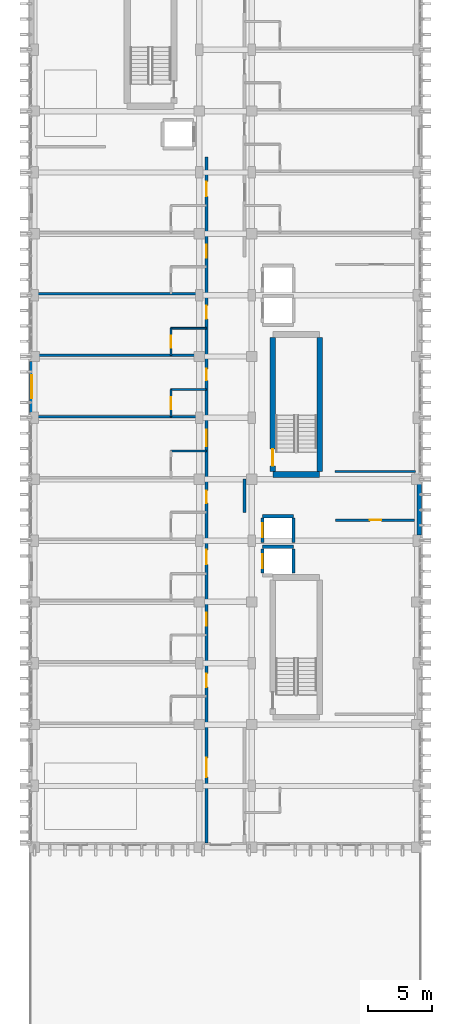
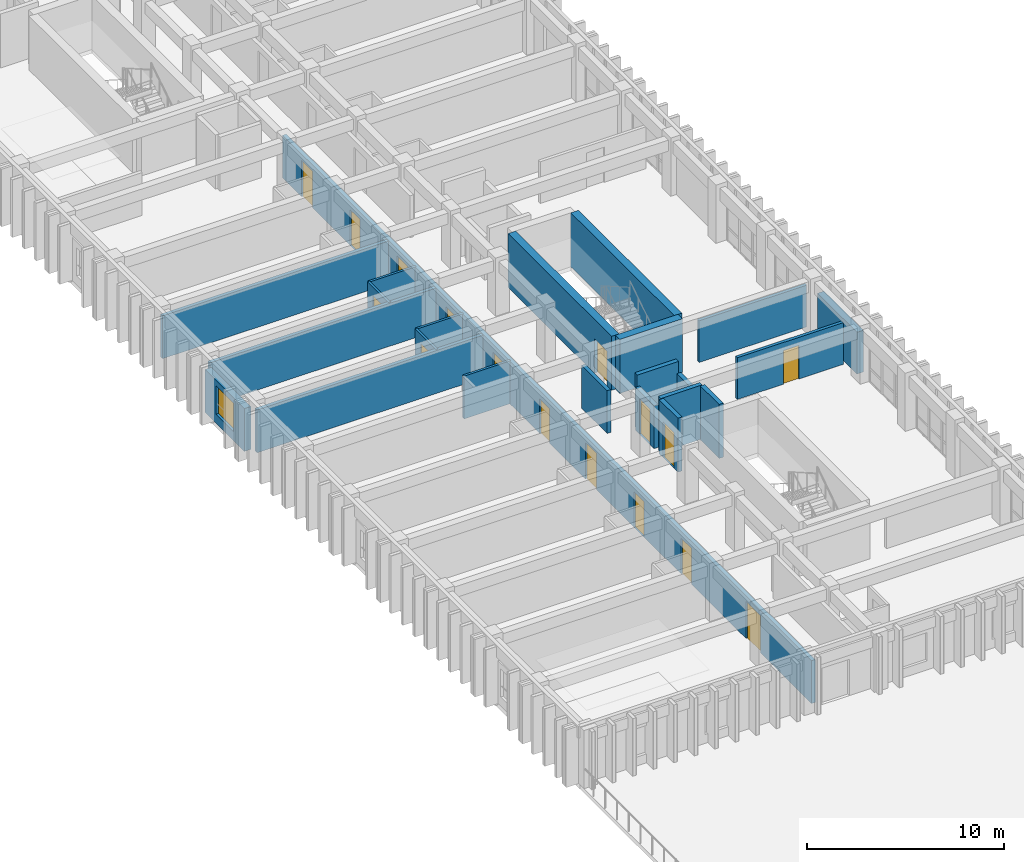
# One storey, part 64 of 82: 23 walls, 16 doors, 1 window, 17 openings.
"""IFC4 building model written with IfcOpenShell, lengths in metres."""

from ifc_helpers import new_model, si_unit, direction, frame, frame_2d, origin, place, context, subcontext, project, spatial, rectangle, extrude, material, layer, layer_set, type_object, element, fill, save


model = new_model("IFC4")

# Units and contexts
model_context = context("Model", 3, precision=1e-05, world=origin(), true_north=direction((0.0, 1.0)))
body_context = subcontext(model_context, "Body", "Model", "MODEL_VIEW")
ifc_project = project(units=[si_unit("LENGTHUNIT", "METRE"), si_unit("AREAUNIT", "SQUARE_METRE"), si_unit("VOLUMEUNIT", "CUBIC_METRE"), si_unit("PLANEANGLEUNIT", "RADIAN"), si_unit("MASSUNIT", "GRAM", prefix="KILO")], contexts=[model_context])

# Site, building, storey
site_placement = place(None, origin())
site = spatial("IfcSite", under=ifc_project, at=site_placement, CompositionType="ELEMENT")
building_placement = place(site_placement, origin())
building = spatial("IfcBuilding", under=site, at=building_placement, Name="Nakhvara Creek Congress Hotel", CompositionType="ELEMENT")
storey_placement = place(building_placement, frame((0.0, 0.0, 21.0)))
storey = spatial("IfcBuildingStorey", under=building, at=storey_placement, Name="L04", CompositionType="ELEMENT", Elevation=21.0)

# Wall
ifc_material_1 = material(Name="Concrete C50/60", Category="concrete")
ifc_layer_1 = layer(ifc_material_1, 0.449951171875)
ifc_layer_set_1 = layer_set([ifc_layer_1], Name="Concrete C50/60")
wall_type_1 = type_object("IfcWallType", Name="W-CORE-450", PredefinedType="SHEAR", material=ifc_layer_set_1)
wall_1_placement = place(storey_placement, frame((168.10009765625, 48.3798828125, 0.0), z_axis=(0.0, 0.0, 1.0), x_axis=(1.0, 0.0, 0.0)))
element("IfcWall", 1, at=wall_1_placement, inside=storey, type_object=wall_type_1, Name="Core Shear Wall WS02-CWALL-L04-0687", PredefinedType="SHEAR", context=body_context, shape_type="SweptSolid", body=[
    extrude(rectangle(XDim=3.669921875, YDim=0.449951171875, at=frame_2d((1.8349609375, 0.0))), origin(), (0.0, 0.0, 1.0), 3.340087890625),
])

# Wall, opening, door
wall_2_placement = place(storey_placement, frame((168.10009765625, 48.60009765625, 0.0), z_axis=(0.0, 0.0, 1.0), x_axis=(0.0, 1.0, 0.0)))
wall_2 = element("IfcWall", 2, at=wall_2_placement, inside=storey, type_object=wall_type_1, Name="Core Shear Wall WS02-CWALL-L04-0689", PredefinedType="SHEAR", context=body_context, shape_type="SweptSolid", body=[
    extrude(rectangle(XDim=10.5, YDim=0.449951171875, at=frame_2d((5.25, 0.0))), origin(), (0.0, 0.0, 1.0), 3.340087890625),
])
opening_1_placement = place(wall_2_placement, frame((0.449951171875, 0.0, 0.0)))
opening_1 = element("IfcOpeningElement", 3, at=opening_1_placement, cuts=wall_2, Name="Opening FD04", PredefinedType="OPENING", context=body_context, shape_type="SweptSolid", body=[
    extrude(rectangle(XDim=1.300048828125, YDim=2.14990234375, at=frame_2d((0.64990234375, 1.074951171875))), frame((0.0, 0.23681640625, 0.0), z_axis=(0.0, -1.0, 0.0), x_axis=(1.0, 0.0, 0.0)), (0.0, 0.0, 1.0), 0.473876953125),
])
ifc_material_2 = material(Name="Powder-coated steel fire door", Category="steel")
door_type_1 = type_object("IfcDoorType", Name="DT-STAIR-130", OperationType="NOTDEFINED", PredefinedType="DOOR", material=ifc_material_2)
door_1_placement = place(opening_1_placement, origin())
door_1 = element("IfcDoor", 4, at=door_1_placement, inside=storey, type_object=door_type_1, Name="Stair Exit Door ST04-L04", OperationType="SINGLE_SWING_LEFT", OverallHeight=2.14990234375, OverallWidth=1.300048828125, PredefinedType="DOOR", context=body_context, shape_type="SweptSolid", body=[
    extrude(rectangle(XDim=1.300048828125, YDim=2.14990234375, at=frame_2d((0.64990234375, 1.074951171875))), frame((0.0, 0.02490234375, 0.0), z_axis=(0.0, -1.0, 0.0), x_axis=(1.0, 0.0, 0.0)), (0.0, 0.0, 1.0), 0.050048828125),
])
fill(opening_1, door_1)

# Wall
wall_3_placement = place(storey_placement, frame((171.77001953125, 48.60009765625, 0.0), z_axis=(0.0, 0.0, 1.0), x_axis=(0.0, 1.0, 0.0)))
element("IfcWall", 5, at=wall_3_placement, inside=storey, type_object=wall_type_1, Name="Core Shear Wall WS02-CWALL-L04-0690", PredefinedType="SHEAR", context=body_context, shape_type="SweptSolid", body=[
    extrude(rectangle(XDim=10.5, YDim=0.449951171875, at=frame_2d((5.25, 0.0))), origin(), (0.0, 0.0, 1.0), 3.340087890625),
])

# Wall, openings, doors
ifc_material_3 = material(Name="Gypsum acoustic board on steel stud", Category="steel")
ifc_layer_2 = layer(ifc_material_3, 0.219970703125)
ifc_layer_set_2 = layer_set([ifc_layer_2], Name="Gypsum acoustic board on steel stud")
wall_type_2 = type_object("IfcWallType", Name="W-CORR-220", PredefinedType="PARTITIONING", material=ifc_layer_set_2)
wall_4_placement = place(storey_placement, frame((162.919921875, 19.550048828125, 0.0), z_axis=(0.0, 0.0, 1.0), x_axis=(0.0, 1.0, 0.0)))
wall_4 = element("IfcWall", 6, at=wall_4_placement, inside=storey, type_object=wall_type_2, Name="Interior Wall WP11-IW-L04-0285", PredefinedType="PARTITIONING", context=body_context, shape_type="SweptSolid", body=[
    extrude(rectangle(XDim=53.64990234375, YDim=0.219970703125, at=frame_2d((26.824951171875, 0.0))), origin(), (0.0, 0.0, 1.0), 2.652099609375),
])
opening_2_placement = place(wall_4_placement, frame((5.14990234375, 0.0, 0.0)))
opening_2 = element("IfcOpeningElement", 7, at=opening_2_placement, cuts=wall_4, Name="Opening GD03", PredefinedType="OPENING", context=body_context, shape_type="SweptSolid", body=[
    extrude(rectangle(XDim=1.5, YDim=2.300048828125, at=frame_2d((0.75, 1.14990234375))), frame((0.0, 0.1220703125, 0.0), z_axis=(0.0, -1.0, 0.0), x_axis=(1.0, 0.0, 0.0)), (0.0, 0.0, 1.0), 0.243896484375),
])
opening_3_placement = place(wall_4_placement, frame((12.18798828125, 0.0, 0.0)))
opening_3 = element("IfcOpeningElement", 8, at=opening_3_placement, cuts=wall_4, Name="Opening GD04", PredefinedType="OPENING", context=body_context, shape_type="SweptSolid", body=[
    extrude(rectangle(XDim=1.050048828125, YDim=2.219970703125, at=frame_2d((0.52490234375, 1.10986328125))), frame((0.0, 0.1220703125, 0.0), z_axis=(0.0, -1.0, 0.0), x_axis=(1.0, 0.0, 0.0)), (0.0, 0.0, 1.0), 0.243896484375),
])
opening_4_placement = place(wall_4_placement, frame((16.988037109375, 0.0, 0.0)))
opening_4 = element("IfcOpeningElement", 9, at=opening_4_placement, cuts=wall_4, Name="Opening GD01", PredefinedType="OPENING", context=body_context, shape_type="SweptSolid", body=[
    extrude(rectangle(XDim=1.02001953125, YDim=2.199951171875, at=frame_2d((0.510009765625, 1.10009765625))), frame((0.0, 0.1220703125, 0.0), z_axis=(0.0, -1.0, 0.0), x_axis=(1.0, 0.0, 0.0)), (0.0, 0.0, 1.0), 0.243896484375),
])
opening_5_placement = place(wall_4_placement, frame((21.7880859375, 0.0, 0.0)))
opening_5 = element("IfcOpeningElement", 10, at=opening_5_placement, cuts=wall_4, Name="Opening GD05", PredefinedType="OPENING", context=body_context, shape_type="SweptSolid", body=[
    extrude(rectangle(XDim=1.139892578125, YDim=2.260009765625, at=frame_2d((0.56982421875, 1.1298828125))), frame((0.0, 0.1220703125, 0.0), z_axis=(0.0, -1.0, 0.0), x_axis=(1.0, 0.0, 0.0)), (0.0, 0.0, 1.0), 0.243896484375),
])
opening_6_placement = place(wall_4_placement, frame((26.587890625, 0.0, 0.0)))
opening_6 = element("IfcOpeningElement", 11, at=opening_6_placement, cuts=wall_4, Name="Opening MD03", PredefinedType="OPENING", context=body_context, shape_type="SweptSolid", body=[
    extrude(rectangle(XDim=0.97998046875, YDim=2.14990234375, at=frame_2d((0.489990234375, 1.074951171875))), frame((0.0, 0.1220703125, 0.0), z_axis=(0.0, -1.0, 0.0), x_axis=(1.0, 0.0, 0.0)), (0.0, 0.0, 1.0), 0.243896484375),
])
opening_7_placement = place(wall_4_placement, frame((31.0380859375, 0.0, 0.0)))
opening_7 = element("IfcOpeningElement", 12, at=opening_7_placement, cuts=wall_4, Name="Opening ID07", PredefinedType="OPENING", context=body_context, shape_type="SweptSolid", body=[
    extrude(rectangle(XDim=1.280029296875, YDim=2.159912109375, at=frame_2d((0.64013671875, 1.080078125))), frame((0.0, 0.1220703125, 0.0), z_axis=(0.0, -1.0, 0.0), x_axis=(1.0, 0.0, 0.0)), (0.0, 0.0, 1.0), 0.243896484375),
])
opening_8_placement = place(wall_4_placement, frame((36.18798828125, 0.0, 0.0)))
opening_8 = element("IfcOpeningElement", 13, at=opening_8_placement, cuts=wall_4, Name="Opening ID03", PredefinedType="OPENING", context=body_context, shape_type="SweptSolid", body=[
    extrude(rectangle(XDim=0.89990234375, YDim=2.080078125, at=frame_2d((0.449951171875, 1.0400390625))), frame((0.0, 0.1220703125, 0.0), z_axis=(0.0, -1.0, 0.0), x_axis=(1.0, 0.0, 0.0)), (0.0, 0.0, 1.0), 0.243896484375),
])
opening_9_placement = place(wall_4_placement, frame((40.988037109375, 0.0, 0.0)))
opening_9 = element("IfcOpeningElement", 14, at=opening_9_placement, cuts=wall_4, Name="Opening GD04", PredefinedType="OPENING", context=body_context, shape_type="SweptSolid", body=[
    extrude(rectangle(XDim=1.050048828125, YDim=2.219970703125, at=frame_2d((0.52490234375, 1.10986328125))), frame((0.0, 0.1220703125, 0.0), z_axis=(0.0, -1.0, 0.0), x_axis=(1.0, 0.0, 0.0)), (0.0, 0.0, 1.0), 0.243896484375),
])
opening_10_placement = place(wall_4_placement, frame((45.7880859375, 0.0, 0.0)))
opening_10 = element("IfcOpeningElement", 15, at=opening_10_placement, cuts=wall_4, Name="Opening GD01", PredefinedType="OPENING", context=body_context, shape_type="SweptSolid", body=[
    extrude(rectangle(XDim=1.02001953125, YDim=2.199951171875, at=frame_2d((0.510009765625, 1.10009765625))), frame((0.0, 0.1220703125, 0.0), z_axis=(0.0, -1.0, 0.0), x_axis=(1.0, 0.0, 0.0)), (0.0, 0.0, 1.0), 0.243896484375),
])
opening_11_placement = place(wall_4_placement, frame((50.587890625, 0.0, 0.0)))
opening_11 = element("IfcOpeningElement", 16, at=opening_11_placement, cuts=wall_4, Name="Opening GD05", PredefinedType="OPENING", context=body_context, shape_type="SweptSolid", body=[
    extrude(rectangle(XDim=1.139892578125, YDim=2.260009765625, at=frame_2d((0.56982421875, 1.1298828125))), frame((0.0, 0.1220703125, 0.0), z_axis=(0.0, -1.0, 0.0), x_axis=(1.0, 0.0, 0.0)), (0.0, 0.0, 1.0), 0.243896484375),
])
ifc_material_4 = material(Name="Brushed stainless-clad BOH door")
door_type_2 = type_object("IfcDoorType", Name="DT-BOH-128", OperationType="NOTDEFINED", PredefinedType="DOOR", material=ifc_material_4)
door_2_placement = place(opening_7_placement, frame((1.280029296875, 0.0, 0.0), z_axis=(0.0, 0.0, 1.0), x_axis=(-1.0, 0.0, 0.0)))
door_2 = element("IfcDoor", 17, at=door_2_placement, inside=storey, type_object=door_type_2, Name="Interior Door ID07-0266", OperationType="SINGLE_SWING_LEFT", OverallHeight=2.159912109375, OverallWidth=1.280029296875, PredefinedType="DOOR", context=body_context, shape_type="SweptSolid", body=[
    extrude(rectangle(XDim=1.280029296875, YDim=2.159912109375, at=frame_2d((0.64013671875, 1.080078125))), frame((0.0, 0.02490234375, 0.0), z_axis=(0.0, -1.0, 0.0), x_axis=(1.0, 0.0, 0.0)), (0.0, 0.0, 1.0), 0.050048828125),
])
fill(opening_7, door_2)
ifc_material_5 = material(Name="Walnut hardwood timber fire door", Category="wood")
door_type_3 = type_object("IfcDoorType", Name="DT-GUEST-102", OperationType="NOTDEFINED", PredefinedType="DOOR", material=ifc_material_5)
door_3_placement = place(opening_4_placement, frame((1.02001953125, 0.0, 0.0), z_axis=(0.0, 0.0, 1.0), x_axis=(-1.0, 0.0, 0.0)))
door_3 = element("IfcDoor", 18, at=door_3_placement, inside=storey, type_object=door_type_3, Name="Interior Door GD01-0260", OperationType="SINGLE_SWING_LEFT", OverallHeight=2.199951171875, OverallWidth=1.02001953125, PredefinedType="DOOR", context=body_context, shape_type="SweptSolid", body=[
    extrude(rectangle(XDim=1.02001953125, YDim=2.199951171875, at=frame_2d((0.510009765625, 1.10009765625))), frame((0.0, 0.02490234375, 0.0), z_axis=(0.0, -1.0, 0.0), x_axis=(1.0, 0.0, 0.0)), (0.0, 0.0, 1.0), 0.050048828125),
])
fill(opening_4, door_3)
door_4_placement = place(opening_10_placement, frame((1.02001953125, 0.0, 0.0), z_axis=(0.0, 0.0, 1.0), x_axis=(-1.0, 0.0, 0.0)))
door_4 = element("IfcDoor", 19, at=door_4_placement, inside=storey, type_object=door_type_3, Name="Interior Door GD01-0272", OperationType="SINGLE_SWING_LEFT", OverallHeight=2.199951171875, OverallWidth=1.02001953125, PredefinedType="DOOR", context=body_context, shape_type="SweptSolid", body=[
    extrude(rectangle(XDim=1.02001953125, YDim=2.199951171875, at=frame_2d((0.510009765625, 1.10009765625))), frame((0.0, 0.02490234375, 0.0), z_axis=(0.0, -1.0, 0.0), x_axis=(1.0, 0.0, 0.0)), (0.0, 0.0, 1.0), 0.050048828125),
])
fill(opening_10, door_4)
door_type_4 = type_object("IfcDoorType", Name="DT-GUEST-105", OperationType="NOTDEFINED", PredefinedType="DOOR", material=ifc_material_5)
door_5_placement = place(opening_3_placement, frame((1.050048828125, 0.0, 0.0), z_axis=(0.0, 0.0, 1.0), x_axis=(-1.0, 0.0, 0.0)))
door_5 = element("IfcDoor", 20, at=door_5_placement, inside=storey, type_object=door_type_4, Name="Interior Door GD04-0258", OperationType="SINGLE_SWING_LEFT", OverallHeight=2.219970703125, OverallWidth=1.050048828125, PredefinedType="DOOR", context=body_context, shape_type="SweptSolid", body=[
    extrude(rectangle(XDim=1.050048828125, YDim=2.219970703125, at=frame_2d((0.52490234375, 1.10986328125))), frame((0.0, 0.02490234375, 0.0), z_axis=(0.0, -1.0, 0.0), x_axis=(1.0, 0.0, 0.0)), (0.0, 0.0, 1.0), 0.050048828125),
])
fill(opening_3, door_5)
door_6_placement = place(opening_9_placement, frame((1.050048828125, 0.0, 0.0), z_axis=(0.0, 0.0, 1.0), x_axis=(-1.0, 0.0, 0.0)))
door_6 = element("IfcDoor", 21, at=door_6_placement, inside=storey, type_object=door_type_4, Name="Interior Door GD04-0270", OperationType="SINGLE_SWING_LEFT", OverallHeight=2.219970703125, OverallWidth=1.050048828125, PredefinedType="DOOR", context=body_context, shape_type="SweptSolid", body=[
    extrude(rectangle(XDim=1.050048828125, YDim=2.219970703125, at=frame_2d((0.52490234375, 1.10986328125))), frame((0.0, 0.02490234375, 0.0), z_axis=(0.0, -1.0, 0.0), x_axis=(1.0, 0.0, 0.0)), (0.0, 0.0, 1.0), 0.050048828125),
])
fill(opening_9, door_6)
door_type_5 = type_object("IfcDoorType", Name="DT-GUEST-114", OperationType="NOTDEFINED", PredefinedType="DOOR", material=ifc_material_5)
door_7_placement = place(opening_5_placement, frame((1.139892578125, 0.0, 0.0), z_axis=(0.0, 0.0, 1.0), x_axis=(-1.0, 0.0, 0.0)))
door_7 = element("IfcDoor", 22, at=door_7_placement, inside=storey, type_object=door_type_5, Name="Interior Door GD05-0262", OperationType="SINGLE_SWING_LEFT", OverallHeight=2.260009765625, OverallWidth=1.139892578125, PredefinedType="DOOR", context=body_context, shape_type="SweptSolid", body=[
    extrude(rectangle(XDim=1.139892578125, YDim=2.260009765625, at=frame_2d((0.56982421875, 1.1298828125))), frame((0.0, 0.02490234375, 0.0), z_axis=(0.0, -1.0, 0.0), x_axis=(1.0, 0.0, 0.0)), (0.0, 0.0, 1.0), 0.050048828125),
])
fill(opening_5, door_7)
door_8_placement = place(opening_11_placement, frame((1.139892578125, 0.0, 0.0), z_axis=(0.0, 0.0, 1.0), x_axis=(-1.0, 0.0, 0.0)))
door_8 = element("IfcDoor", 23, at=door_8_placement, inside=storey, type_object=door_type_5, Name="Interior Door GD05-0274", OperationType="SINGLE_SWING_LEFT", OverallHeight=2.260009765625, OverallWidth=1.139892578125, PredefinedType="DOOR", context=body_context, shape_type="SweptSolid", body=[
    extrude(rectangle(XDim=1.139892578125, YDim=2.260009765625, at=frame_2d((0.56982421875, 1.1298828125))), frame((0.0, 0.02490234375, 0.0), z_axis=(0.0, -1.0, 0.0), x_axis=(1.0, 0.0, 0.0)), (0.0, 0.0, 1.0), 0.050048828125),
])
fill(opening_11, door_8)
ifc_material_6 = material(Name="Acoustic ISO 2603 sound-lock timber door", Category="wood")
door_type_6 = type_object("IfcDoorType", Name="DT-ISO-098", OperationType="NOTDEFINED", PredefinedType="DOOR", material=ifc_material_6)
door_9_placement = place(opening_6_placement, frame((0.97998046875, 0.0, 0.0), z_axis=(0.0, 0.0, 1.0), x_axis=(-1.0, 0.0, 0.0)))
door_9 = element("IfcDoor", 24, at=door_9_placement, inside=storey, type_object=door_type_6, Name="Interior Door MD03-0264", OperationType="SINGLE_SWING_LEFT", OverallHeight=2.14990234375, OverallWidth=0.97998046875, PredefinedType="DOOR", context=body_context, shape_type="SweptSolid", body=[
    extrude(rectangle(XDim=0.97998046875, YDim=2.14990234375, at=frame_2d((0.489990234375, 1.074951171875))), frame((0.0, 0.02490234375, 0.0), z_axis=(0.0, -1.0, 0.0), x_axis=(1.0, 0.0, 0.0)), (0.0, 0.0, 1.0), 0.050048828125),
])
fill(opening_6, door_9)
ifc_material_7 = material(Name="Walnut hardwood double fire door", Category="wood")
door_type_7 = type_object("IfcDoorType", Name="DT-SUITE-150", OperationType="DOUBLE_DOOR_SINGLE_SWING", PredefinedType="DOOR", material=ifc_material_7)
door_10_placement = place(opening_2_placement, frame((1.5, 0.0, 0.0), z_axis=(0.0, 0.0, 1.0), x_axis=(-1.0, 0.0, 0.0)))
door_10 = element("IfcDoor", 25, at=door_10_placement, inside=storey, type_object=door_type_7, Name="Interior Door GD03-0252", OperationType="DOUBLE_DOOR_SINGLE_SWING", OverallHeight=2.300048828125, OverallWidth=1.5, PredefinedType="DOOR", context=body_context, shape_type="SweptSolid", body=[
    extrude(rectangle(XDim=1.5, YDim=2.300048828125, at=frame_2d((0.75, 1.14990234375))), frame((0.0, 0.02490234375, 0.0), z_axis=(0.0, -1.0, 0.0), x_axis=(1.0, 0.0, 0.0)), (0.0, 0.0, 1.0), 0.050048828125),
])
fill(opening_2, door_10)
ifc_material_8 = material(Name="Moisture-resistant laminate timber door", Category="wood")
door_type_8 = type_object("IfcDoorType", Name="DT-WC-090", OperationType="NOTDEFINED", PredefinedType="DOOR", material=ifc_material_8)
door_11_placement = place(opening_8_placement, frame((0.89990234375, 0.0, 0.0), z_axis=(0.0, 0.0, 1.0), x_axis=(-1.0, 0.0, 0.0)))
door_11 = element("IfcDoor", 26, at=door_11_placement, inside=storey, type_object=door_type_8, Name="Interior Door ID03-0268", OperationType="SINGLE_SWING_LEFT", OverallHeight=2.080078125, OverallWidth=0.89990234375, PredefinedType="DOOR", context=body_context, shape_type="SweptSolid", body=[
    extrude(rectangle(XDim=0.89990234375, YDim=2.080078125, at=frame_2d((0.449951171875, 1.0400390625))), frame((0.0, 0.02490234375, 0.0), z_axis=(0.0, -1.0, 0.0), x_axis=(1.0, 0.0, 0.0)), (0.0, 0.0, 1.0), 0.050048828125),
])
fill(opening_8, door_11)

# Walls
wall_5_placement = place(storey_placement, frame((165.8798828125, 45.39990234375, 0.0), z_axis=(0.0, 0.0, 1.0), x_axis=(0.0, 1.0, 0.0)))
element("IfcWall", 27, at=wall_5_placement, inside=storey, type_object=wall_type_2, Name="Interior Wall WP11-IW-L04-0289", PredefinedType="PARTITIONING", context=body_context, shape_type="SweptSolid", body=[
    extrude(rectangle(XDim=2.60009765625, YDim=0.219970703125, at=frame_2d((1.300048828125, 0.0))), origin(), (0.0, 0.0, 1.0), 2.652099609375),
])
ifc_material_9 = material(Name="Moisture-resistant gypsum board partition")
ifc_layer_3 = layer(ifc_material_9, 0.139892578125)
ifc_layer_set_3 = layer_set([ifc_layer_3], Name="Moisture-resistant gypsum board partition")
wall_type_3 = type_object("IfcWallType", Name="W-ENS-140", PredefinedType="PARTITIONING", material=ifc_layer_set_3)
wall_6_placement = place(storey_placement, frame((160.1298828125, 50.216064453125, 0.0), z_axis=(0.0, 0.0, 1.0), x_axis=(1.0, 0.0, 0.0)))
element("IfcWall", 28, at=wall_6_placement, inside=storey, type_object=wall_type_3, Name="Interior Wall WP15-IW-L04-0316", PredefinedType="PARTITIONING", context=body_context, shape_type="SweptSolid", body=[
    extrude(rectangle(XDim=2.75, YDim=0.139892578125, at=frame_2d((1.375, 0.0))), origin(), (0.0, 0.0, 1.0), 2.652099609375),
])

# Wall, opening, door
wall_7_placement = place(storey_placement, frame((160.1298828125, 52.89990234375, 0.0), z_axis=(0.0, 0.0, 1.0), x_axis=(0.0, 1.0, 0.0)))
wall_7 = element("IfcWall", 29, at=wall_7_placement, inside=storey, type_object=wall_type_3, Name="Interior Wall WP15-IW-L04-0318", PredefinedType="PARTITIONING", context=body_context, shape_type="SweptSolid", body=[
    extrude(rectangle(XDim=2.1162109375, YDim=0.139892578125, at=frame_2d((1.05810546875, 0.0))), origin(), (0.0, 0.0, 1.0), 2.652099609375),
])
opening_12_placement = place(wall_7_placement, frame((0.5830078125, 0.0, 0.0)))
opening_12 = element("IfcOpeningElement", 30, at=opening_12_placement, cuts=wall_7, Name="Opening ID01", PredefinedType="OPENING", context=body_context, shape_type="SweptSolid", body=[
    extrude(rectangle(XDim=0.919921875, YDim=2.10009765625, at=frame_2d((0.4599609375, 1.050048828125))), frame((0.0, 0.08203125, 0.0), z_axis=(0.0, -1.0, 0.0), x_axis=(1.0, 0.0, 0.0)), (0.0, 0.0, 1.0), 0.163818359375),
])
ifc_material_10 = material(Name="Moisture-resistant walnut timber door", Category="wood")
door_type_9 = type_object("IfcDoorType", Name="DT-ENS-092", OperationType="NOTDEFINED", PredefinedType="DOOR", material=ifc_material_10)
door_12_placement = place(opening_12_placement, origin())
door_12 = element("IfcDoor", 31, at=door_12_placement, inside=storey, type_object=door_type_9, Name="Interior Door ID01-0269", OperationType="SINGLE_SWING_RIGHT", OverallHeight=2.10009765625, OverallWidth=0.919921875, PredefinedType="DOOR", context=body_context, shape_type="SweptSolid", body=[
    extrude(rectangle(XDim=0.919921875, YDim=2.10009765625, at=frame_2d((0.4599609375, 1.050048828125))), frame((0.0, 0.02490234375, 0.0), z_axis=(0.0, -1.0, 0.0), x_axis=(1.0, 0.0, 0.0)), (0.0, 0.0, 1.0), 0.050048828125),
])
fill(opening_12, door_12)

# Wall
wall_8_placement = place(storey_placement, frame((160.1298828125, 55.01611328125, 0.0), z_axis=(0.0, 0.0, 1.0), x_axis=(1.0, 0.0, 0.0)))
element("IfcWall", 32, at=wall_8_placement, inside=storey, type_object=wall_type_3, Name="Interior Wall WP15-IW-L04-0319", PredefinedType="PARTITIONING", context=body_context, shape_type="SweptSolid", body=[
    extrude(rectangle(XDim=2.75, YDim=0.139892578125, at=frame_2d((1.375, 0.0))), origin(), (0.0, 0.0, 1.0), 2.652099609375),
])

# Wall, opening, door
wall_9_placement = place(storey_placement, frame((160.1298828125, 57.699951171875, 0.0), z_axis=(0.0, 0.0, 1.0), x_axis=(0.0, 1.0, 0.0)))
wall_9 = element("IfcWall", 33, at=wall_9_placement, inside=storey, type_object=wall_type_3, Name="Interior Wall WP15-IW-L04-0321", PredefinedType="PARTITIONING", context=body_context, shape_type="SweptSolid", body=[
    extrude(rectangle(XDim=2.115966796875, YDim=0.139892578125, at=frame_2d((1.05810546875, 0.0))), origin(), (0.0, 0.0, 1.0), 2.652099609375),
])
opening_13_placement = place(wall_9_placement, frame((0.5830078125, 0.0, 0.0)))
opening_13 = element("IfcOpeningElement", 34, at=opening_13_placement, cuts=wall_9, Name="Opening ID02", PredefinedType="OPENING", context=body_context, shape_type="SweptSolid", body=[
    extrude(rectangle(XDim=0.9599609375, YDim=2.1201171875, at=frame_2d((0.47998046875, 1.06005859375))), frame((0.0, 0.08203125, 0.0), z_axis=(0.0, -1.0, 0.0), x_axis=(1.0, 0.0, 0.0)), (0.0, 0.0, 1.0), 0.163818359375),
])
door_type_10 = type_object("IfcDoorType", Name="DT-ENS-096", OperationType="NOTDEFINED", PredefinedType="DOOR", material=ifc_material_10)
door_13_placement = place(opening_13_placement, origin())
door_13 = element("IfcDoor", 35, at=door_13_placement, inside=storey, type_object=door_type_10, Name="Interior Door ID02-0271", OperationType="SINGLE_SWING_RIGHT", OverallHeight=2.1201171875, OverallWidth=0.9599609375, PredefinedType="DOOR", context=body_context, shape_type="SweptSolid", body=[
    extrude(rectangle(XDim=0.9599609375, YDim=2.1201171875, at=frame_2d((0.47998046875, 1.06005859375))), frame((0.0, 0.02490234375, 0.0), z_axis=(0.0, -1.0, 0.0), x_axis=(1.0, 0.0, 0.0)), (0.0, 0.0, 1.0), 0.050048828125),
])
fill(opening_13, door_13)

# Walls
wall_10_placement = place(storey_placement, frame((160.1298828125, 59.81591796875, 0.0), z_axis=(0.0, 0.0, 1.0), x_axis=(1.0, 0.0, 0.0)))
element("IfcWall", 36, at=wall_10_placement, inside=storey, type_object=wall_type_3, Name="Interior Wall WP15-IW-L04-0322", PredefinedType="PARTITIONING", context=body_context, shape_type="SweptSolid", body=[
    extrude(rectangle(XDim=2.75, YDim=0.139892578125, at=frame_2d((1.375, 0.0))), origin(), (0.0, 0.0, 1.0), 2.652099609375),
])
ifc_material_11 = material(Name="Honed pale Omani limestone cladding", Category="masonry")
ifc_layer_4 = layer(ifc_material_11, 0.050048828125)
ifc_material_12 = material(Name="Mineral wool thermal insulation")
ifc_layer_5 = layer(ifc_material_12, 0.110107421875)
ifc_material_13 = material(Name="Precast concrete C40/50", Category="concrete")
ifc_layer_6 = layer(ifc_material_13, 0.219970703125)
ifc_layer_set_4 = layer_set([ifc_layer_4, ifc_layer_5, ifc_layer_6], Name="Precast concrete C40/50")
wall_type_4 = type_object("IfcWallType", Name="W-EXT-380", PredefinedType="SOLIDWALL", material=ifc_layer_set_4)
wall_11_placement = place(storey_placement, frame((179.56005859375, 47.625, 0.0), z_axis=(0.0, 0.0, 1.0), x_axis=(0.0, -1.0, 0.0)))
element("IfcWall", 37, at=wall_11_placement, inside=storey, type_object=wall_type_4, Name="Exterior Wall WE03-EW-L04-0136", PredefinedType="SOLIDWALL", context=body_context, shape_type="SweptSolid", body=[
    extrude(rectangle(XDim=4.0, YDim=0.3798828125, at=frame_2d((2.0, 0.0))), origin(), (0.0, 0.0, 1.0), 2.58203125),
])

# Wall, opening, window
wall_12_placement = place(storey_placement, frame((149.239990234375, 53.22509765625, 0.0), z_axis=(0.0, 0.0, 1.0), x_axis=(0.0, 1.0, 0.0)))
wall_12 = element("IfcWall", 38, at=wall_12_placement, inside=storey, type_object=wall_type_4, Name="Exterior Wall WE03-EW-L04-0137", PredefinedType="SOLIDWALL", context=body_context, shape_type="SweptSolid", body=[
    extrude(rectangle(XDim=4.0, YDim=0.3798828125, at=frame_2d((2.0, 0.0))), origin(), (0.0, 0.0, 1.0), 2.652099609375),
])
opening_14_placement = place(wall_12_placement, frame((1.10009765625, 0.0, 0.550048828125)))
opening_14 = element("IfcOpeningElement", 39, at=opening_14_placement, cuts=wall_12, Name="Opening WN0149", PredefinedType="OPENING", context=body_context, shape_type="SweptSolid", body=[
    extrude(rectangle(XDim=1.800048828125, YDim=1.760009765625, at=frame_2d((0.89990234375, 0.8798828125))), frame((0.0, 0.201904296875, 0.0), z_axis=(0.0, -1.0, 0.0), x_axis=(1.0, 0.0, 0.0)), (0.0, 0.0, 1.0), 0.40380859375),
])
ifc_material_14 = material(Name="Thermally broken bronze-anodised aluminium and double-silver low-E insulated glass", Category="aluminium")
window_type = type_object("IfcWindowType", Name="WN-LAN-180X225", PartitioningType="SINGLE_PANEL", PredefinedType="WINDOW", material=ifc_material_14)
window_placement = place(opening_14_placement, origin())
window = element("IfcWindow", 40, at=window_placement, inside=storey, type_object=window_type, Name="Facade Window WN0149", OverallHeight=1.760009765625, OverallWidth=1.800048828125, PartitioningType="SINGLE_PANEL", PredefinedType="WINDOW", context=body_context, shape_type="SweptSolid", body=[
    extrude(rectangle(XDim=1.800048828125, YDim=1.760009765625, at=frame_2d((0.89990234375, 0.8798828125))), frame((0.0, 0.030029296875, 0.0), z_axis=(0.0, -1.0, 0.0), x_axis=(1.0, 0.0, 0.0)), (0.0, 0.0, 1.0), 0.06005859375),
])
fill(opening_14, window)

# Wall, opening, door
ifc_layer_7 = layer(ifc_material_3, 0.179931640625)
ifc_layer_set_5 = layer_set([ifc_layer_7], Name="Gypsum acoustic board on steel stud")
wall_type_5 = type_object("IfcWallType", Name="W-MEET-180", PredefinedType="PARTITIONING", material=ifc_layer_set_5)
wall_13_placement = place(storey_placement, frame((173.0, 44.800048828125, 0.0), z_axis=(0.0, 0.0, 1.0), x_axis=(1.0, 0.0, 0.0)))
wall_13 = element("IfcWall", 41, at=wall_13_placement, inside=storey, type_object=wall_type_5, Name="Interior Wall WP13-IW-L04-0299", PredefinedType="PARTITIONING", context=body_context, shape_type="SweptSolid", body=[
    extrude(rectangle(XDim=6.199951171875, YDim=0.179931640625, at=frame_2d((3.10009765625, 0.0))), origin(), (0.0, 0.0, 1.0), 2.58203125),
])
opening_15_placement = place(wall_13_placement, frame((2.699951171875, 0.0, 0.0)))
opening_15 = element("IfcOpeningElement", 42, at=opening_15_placement, cuts=wall_13, Name="Opening ID03", PredefinedType="OPENING", context=body_context, shape_type="SweptSolid", body=[
    extrude(rectangle(XDim=0.89990234375, YDim=2.080078125, at=frame_2d((0.449951171875, 1.0400390625))), frame((0.0, 0.10205078125, 0.0), z_axis=(0.0, -1.0, 0.0), x_axis=(1.0, 0.0, 0.0)), (0.0, 0.0, 1.0), 0.203857421875),
])
door_14_placement = place(opening_15_placement, origin())
door_14 = element("IfcDoor", 43, at=door_14_placement, inside=storey, type_object=door_type_8, Name="Interior Door ID03-0256", OperationType="SINGLE_SWING_LEFT", OverallHeight=2.080078125, OverallWidth=0.89990234375, PredefinedType="DOOR", context=body_context, shape_type="SweptSolid", body=[
    extrude(rectangle(XDim=0.89990234375, YDim=2.080078125, at=frame_2d((0.449951171875, 1.0400390625))), frame((0.0, 0.02490234375, 0.0), z_axis=(0.0, -1.0, 0.0), x_axis=(1.0, 0.0, 0.0)), (0.0, 0.0, 1.0), 0.050048828125),
])
fill(opening_15, door_14)

# Walls
wall_14_placement = place(storey_placement, frame((172.949951171875, 48.60009765625, 0.0), z_axis=(0.0, 0.0, 1.0), x_axis=(1.0, 0.0, 0.0)))
element("IfcWall", 44, at=wall_14_placement, inside=storey, type_object=wall_type_5, Name="Interior Wall WP13-IW-L04-0300", PredefinedType="PARTITIONING", context=body_context, shape_type="SweptSolid", body=[
    extrude(rectangle(XDim=6.300048828125, YDim=0.179931640625, at=frame_2d((3.14990234375, 0.0))), origin(), (0.0, 0.0, 1.0), 2.58203125),
])
ifc_layer_8 = layer(ifc_material_3, 0.199951171875)
ifc_layer_set_6 = layer_set([ifc_layer_8], Name="Gypsum acoustic board on steel stud")
wall_type_6 = type_object("IfcWallType", Name="W-PART-200", PredefinedType="PARTITIONING", material=ifc_layer_set_6)
for number, where, z_axis, x_axis, name in (
    (45, (149.550048828125, 52.89990234375, 0.0), (0.0, 0.0, 1.0), (1.0, 0.0, 0.0), "Interior Wall WP12-IW-L04-0317"),
    (46, (149.550048828125, 57.699951171875, 0.0), (0.0, 0.0, 1.0), (1.0, 0.0, 0.0), "Interior Wall WP12-IW-L04-0320"),
    (47, (149.550048828125, 62.5, 0.0), (0.0, 0.0, 1.0), (1.0, 0.0, 0.0), "Interior Wall WP12-IW-L04-0323"),
):
    element("IfcWall", number, at=place(storey_placement, frame(where, z_axis=z_axis, x_axis=x_axis)), inside=storey, type_object=wall_type_6, Name=name, PredefinedType="PARTITIONING", context=body_context, shape_type="SweptSolid", body=[
        extrude(rectangle(XDim=13.22998046875, YDim=0.199951171875, at=frame_2d((6.614990234375, 0.0))), origin(), (0.0, 0.0, 1.0), 2.652099609375),
    ])
ifc_material_15 = material(Name="Concrete C40/50", Category="concrete")
ifc_layer_9 = layer(ifc_material_15, 0.25)
ifc_layer_set_7 = layer_set([ifc_layer_9], Name="Concrete C40/50")
wall_type_7 = type_object("IfcWallType", Name="W-SHAFT-250", PredefinedType="SOLIDWALL", material=ifc_layer_set_7)
wall_15_placement = place(storey_placement, frame((167.2900390625, 42.7099609375, 0.0), z_axis=(0.0, 0.0, 1.0), x_axis=(1.0, 0.0, 0.0)))
element("IfcWall", 48, at=wall_15_placement, inside=storey, type_object=wall_type_7, Name="Core Shear Wall WI02-CWALL-L04-0605", PredefinedType="SOLIDWALL", context=body_context, shape_type="SweptSolid", body=[
    extrude(rectangle(XDim=2.419921875, YDim=0.25, at=frame_2d((1.2099609375, 0.0))), origin(), (0.0, 0.0, 1.0), 3.340087890625),
])

# Wall, opening, door
wall_16_placement = place(storey_placement, frame((167.2900390625, 40.64990234375, 0.0), z_axis=(0.0, 0.0, 1.0), x_axis=(0.0, 1.0, 0.0)))
wall_16 = element("IfcWall", 49, at=wall_16_placement, inside=storey, type_object=wall_type_7, Name="Core Shear Wall WI02-CWALL-L04-0606", PredefinedType="SOLIDWALL", context=body_context, shape_type="SweptSolid", body=[
    extrude(rectangle(XDim=1.900146484375, YDim=0.25, at=frame_2d((0.9501953125, 0.0))), origin(), (0.0, 0.0, 1.0), 3.340087890625),
])
opening_16_placement = place(wall_16_placement, frame((0.39990234375, 0.0, 0.0)))
opening_16 = element("IfcOpeningElement", 50, at=opening_16_placement, cuts=wall_16, Name="Opening LD01", PredefinedType="OPENING", context=body_context, shape_type="SweptSolid", body=[
    extrude(rectangle(XDim=1.10009765625, YDim=2.199951171875, at=frame_2d((0.550048828125, 1.10009765625))), frame((0.0, 0.136962890625, 0.0), z_axis=(0.0, -1.0, 0.0), x_axis=(1.0, 0.0, 0.0)), (0.0, 0.0, 1.0), 0.27392578125),
])
ifc_material_16 = material(Name="Brushed stainless steel sliding landing door", Category="steel")
door_type_11 = type_object("IfcDoorType", Name="DT-LIFT-110", OperationType="DOUBLE_DOOR_SLIDING", PredefinedType="DOOR", material=ifc_material_16)
door_15_placement = place(opening_16_placement, origin())
door_15 = element("IfcDoor", 51, at=door_15_placement, inside=storey, type_object=door_type_11, Name="Landing Door PL03-L04", OperationType="SLIDING_TO_LEFT", OverallHeight=2.199951171875, OverallWidth=1.10009765625, PredefinedType="DOOR", context=body_context, shape_type="SweptSolid", body=[
    extrude(rectangle(XDim=1.10009765625, YDim=2.199951171875, at=frame_2d((0.550048828125, 1.10009765625))), frame((0.0, 0.02490234375, 0.0), z_axis=(0.0, -1.0, 0.0), x_axis=(1.0, 0.0, 0.0)), (0.0, 0.0, 1.0), 0.050048828125),
])
fill(opening_16, door_15)

# Walls
wall_17_placement = place(storey_placement, frame((169.7099609375, 40.64990234375, 0.0), z_axis=(0.0, 0.0, 1.0), x_axis=(0.0, 1.0, 0.0)))
element("IfcWall", 52, at=wall_17_placement, inside=storey, type_object=wall_type_7, Name="Core Shear Wall WI02-CWALL-L04-0607", PredefinedType="SOLIDWALL", context=body_context, shape_type="SweptSolid", body=[
    extrude(rectangle(XDim=1.900146484375, YDim=0.25, at=frame_2d((0.9501953125, 0.0))), origin(), (0.0, 0.0, 1.0), 3.340087890625),
])
wall_18_placement = place(storey_placement, frame((167.2900390625, 45.110107421875, 0.0), z_axis=(0.0, 0.0, 1.0), x_axis=(1.0, 0.0, 0.0)))
element("IfcWall", 53, at=wall_18_placement, inside=storey, type_object=wall_type_7, Name="Core Shear Wall WI02-CWALL-L04-0608", PredefinedType="SOLIDWALL", context=body_context, shape_type="SweptSolid", body=[
    extrude(rectangle(XDim=2.419921875, YDim=0.25, at=frame_2d((1.2099609375, 0.0))), origin(), (0.0, 0.0, 1.0), 3.340087890625),
])

# Wall, opening, door
wall_19_placement = place(storey_placement, frame((167.2900390625, 43.050048828125, 0.0), z_axis=(0.0, 0.0, 1.0), x_axis=(0.0, 1.0, 0.0)))
wall_19 = element("IfcWall", 54, at=wall_19_placement, inside=storey, type_object=wall_type_7, Name="Core Shear Wall WI02-CWALL-L04-0609", PredefinedType="SOLIDWALL", context=body_context, shape_type="SweptSolid", body=[
    extrude(rectangle(XDim=1.89990234375, YDim=0.25, at=frame_2d((0.949951171875, 0.0))), origin(), (0.0, 0.0, 1.0), 2.652099609375),
])
opening_17_placement = place(wall_19_placement, frame((0.39990234375, 0.0, 0.0)))
opening_17 = element("IfcOpeningElement", 55, at=opening_17_placement, cuts=wall_19, Name="Opening LD01", PredefinedType="OPENING", context=body_context, shape_type="SweptSolid", body=[
    extrude(rectangle(XDim=1.10009765625, YDim=2.199951171875, at=frame_2d((0.550048828125, 1.10009765625))), frame((0.0, 0.136962890625, 0.0), z_axis=(0.0, -1.0, 0.0), x_axis=(1.0, 0.0, 0.0)), (0.0, 0.0, 1.0), 0.27392578125),
])
door_16_placement = place(opening_17_placement, origin())
door_16 = element("IfcDoor", 56, at=door_16_placement, inside=storey, type_object=door_type_11, Name="Landing Door PL04-L04", OperationType="SLIDING_TO_LEFT", OverallHeight=2.199951171875, OverallWidth=1.10009765625, PredefinedType="DOOR", context=body_context, shape_type="SweptSolid", body=[
    extrude(rectangle(XDim=1.10009765625, YDim=2.199951171875, at=frame_2d((0.550048828125, 1.10009765625))), frame((0.0, 0.02490234375, 0.0), z_axis=(0.0, -1.0, 0.0), x_axis=(1.0, 0.0, 0.0)), (0.0, 0.0, 1.0), 0.050048828125),
])
fill(opening_17, door_16)

# Wall
wall_20_placement = place(storey_placement, frame((169.7099609375, 43.050048828125, 0.0), z_axis=(0.0, 0.0, 1.0), x_axis=(0.0, 1.0, 0.0)))
element("IfcWall", 57, at=wall_20_placement, inside=storey, type_object=wall_type_7, Name="Core Shear Wall WI02-CWALL-L04-0610", PredefinedType="SOLIDWALL", context=body_context, shape_type="SweptSolid", body=[
    extrude(rectangle(XDim=1.89990234375, YDim=0.25, at=frame_2d((0.949951171875, 0.0))), origin(), (0.0, 0.0, 1.0), 2.652099609375),
])

save(model, "model.ifc")
